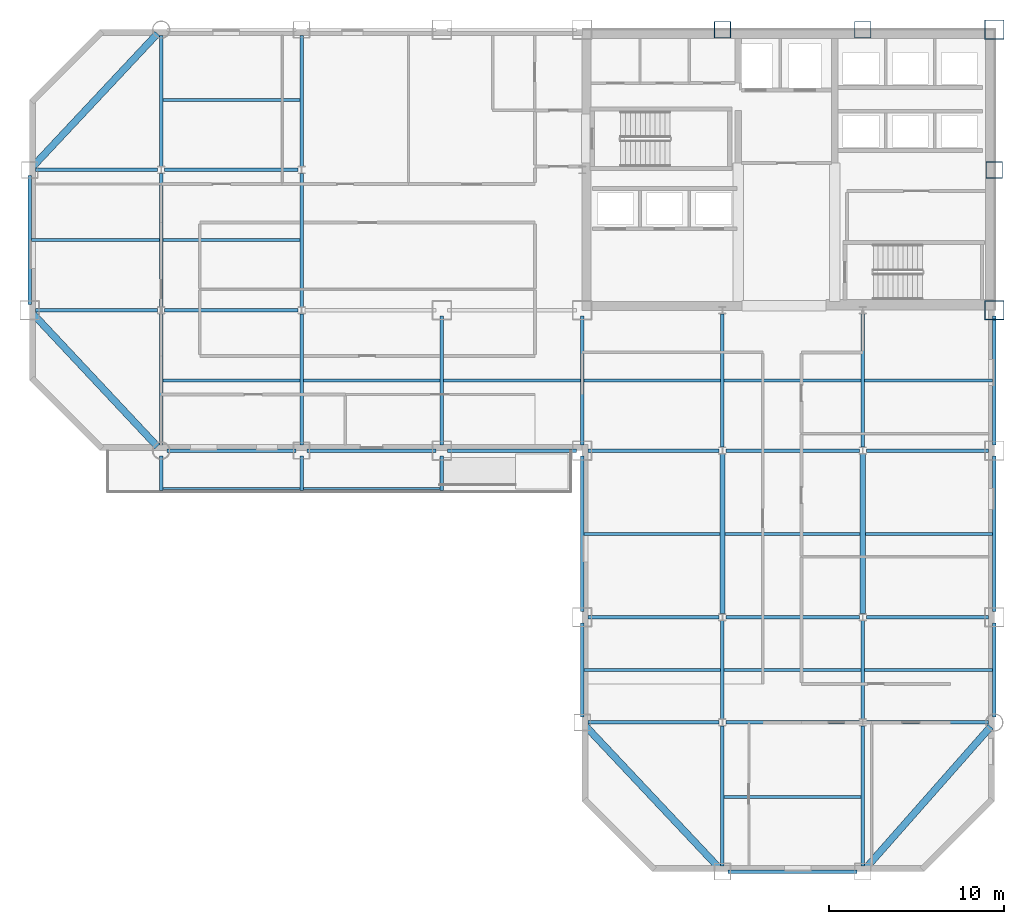
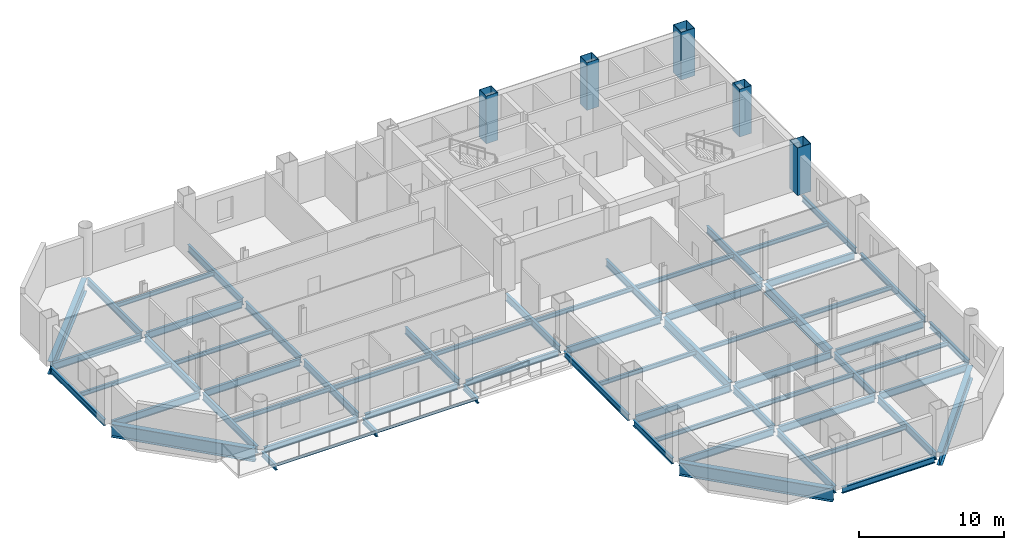
# One storey, part 4 of 10: 64 beams, 5 columns.
"""IFC4 building model written with IfcOpenShell, lengths in metres."""

from ifc_helpers import new_model, si_unit, direction, frame, origin, origin_2d, place, context, subcontext, project, spatial, hollow_rectangle, i_section, extrude, material, material_profile, profile_set, type_object, element, save


model = new_model("IFC4")

# Units and contexts
model_context = context("Model", 3, precision=1e-05, world=origin(), true_north=direction((0.0, 1.0)))
body_context = subcontext(model_context, "Body", "Model", "MODEL_VIEW")
ifc_project = project(units=[si_unit("LENGTHUNIT", "METRE"), si_unit("AREAUNIT", "SQUARE_METRE"), si_unit("VOLUMEUNIT", "CUBIC_METRE"), si_unit("PLANEANGLEUNIT", "RADIAN"), si_unit("MASSUNIT", "GRAM", prefix="KILO")], contexts=[model_context])

# Site, building, storey
site_placement = place(None, origin())
site = spatial("IfcSite", under=ifc_project, at=site_placement, CompositionType="ELEMENT")
building_placement = place(site_placement, origin())
building = spatial("IfcBuilding", under=site, at=building_placement, Name="Qianrong Seaharbour Tower", CompositionType="ELEMENT")
storey_placement = place(building_placement, frame((0.0, 0.0, 187.0)))
storey = spatial("IfcBuildingStorey", under=building, at=storey_placement, Name="L45", CompositionType="ELEMENT", Elevation=187.0)

# Columns
ifc_material_1 = material(Name="Structural steel SN490B", Category="steel")
ifc_material_profile_1 = material_profile(ifc_material_1, hollow_rectangle(XDim=1.10009765625, YDim=1.10009765625, WallThickness=0.0400390625, at=origin_2d()), Name="BOX1100x1100x40")
ifc_profile_set_1 = profile_set([ifc_material_profile_1], Name="Structural steel SN490B")
column_type_1 = type_object("IfcColumnType", Name="COL-CFT-1100", PredefinedType="COLUMN", material=ifc_profile_set_1)
for number, where, z_axis, x_axis, name in (
    (1, (64.0, 36.0, 0.0), (0.0, 0.0, 1.0), (1.0, 0.0, 0.0), "L45 Column MC-3 at G9/GF"),
    (2, (64.0, 52.0, 0.0), (0.0, 0.0, 1.0), (1.0, 0.0, 0.0), "L45 Column MC-3 at G9/GH"),
):
    element("IfcColumn", number, at=place(storey_placement, frame(where, z_axis=z_axis, x_axis=x_axis)), inside=storey, type_object=column_type_1, Name=name, PredefinedType="COLUMN", context=body_context, shape_type="SweptSolid", body=[
        extrude(hollow_rectangle(XDim=1.10009765625, YDim=1.10009765625, WallThickness=0.0400390625, at=origin_2d()), origin(), (0.0, 0.0, 1.0), 4.0),
    ])
ifc_material_profile_2 = material_profile(ifc_material_1, hollow_rectangle(XDim=0.949951171875, YDim=0.949951171875, WallThickness=0.035888671875, at=origin_2d()), Name="BOX950x950x36")
ifc_profile_set_2 = profile_set([ifc_material_profile_2], Name="Structural steel SN490B")
column_type_2 = type_object("IfcColumnType", Name="COL-PER-950", PredefinedType="COLUMN", material=ifc_profile_set_2)
for number, where, z_axis, x_axis, name in (
    (3, (48.5, 52.0, 0.0), (0.0, 0.0, 1.0), (1.0, 0.0, 0.0), "L45 Column PC-2 at G7/GH"),
    (4, (56.5, 52.0, 0.0), (0.0, 0.0, 1.0), (1.0, 0.0, 0.0), "L45 Column PC-2 at G8/GH"),
    (5, (64.0, 44.0, 0.0), (0.0, 0.0, 1.0), (1.0, 0.0, 0.0), "L45 Column PC-2 at G9/GG"),
):
    element("IfcColumn", number, at=place(storey_placement, frame(where, z_axis=z_axis, x_axis=x_axis)), inside=storey, type_object=column_type_2, Name=name, PredefinedType="COLUMN", context=body_context, shape_type="SweptSolid", body=[
        extrude(hollow_rectangle(XDim=0.949951171875, YDim=0.949951171875, WallThickness=0.035888671875, at=origin_2d()), origin(), (0.0, 0.0, 1.0), 4.0),
    ])

# Beams
ifc_material_profile_3 = material_profile(ifc_material_1, i_section(OverallWidth=0.199951171875, OverallDepth=0.60009765625, WebThickness=0.010986328125, FlangeThickness=0.01708984375, FilletRadius=0.02197265625, at=origin_2d()), Name="H600x200x11x17")
ifc_profile_set_3 = profile_set([ifc_material_profile_3], Name="Structural steel SN490B")
beam_type_1 = type_object("IfcBeamType", Name="BM-G-600", PredefinedType="BEAM", material=ifc_profile_set_3)
beam_1_placement = place(storey_placement, frame((40.820068359375, 12.5, -0.534912109375), z_axis=(1.0, 0.0, 0.0), x_axis=(0.0, 1.0, 0.0)))
element("IfcBeam", 6, at=beam_1_placement, inside=storey, type_object=beam_type_1, Name="L45 Primary Girder GC G6-G7", PredefinedType="BEAM", context=body_context, shape_type="SweptSolid", body=[
    extrude(i_section(OverallWidth=0.199951171875, OverallDepth=0.60009765625, WebThickness=0.010986328125, FlangeThickness=0.01708984375, FilletRadius=0.02197265625, at=origin_2d()), origin(), (0.0, 0.0, 1.0), 7.47998046875),
])
beam_2_placement = place(storey_placement, frame((48.699951171875, 12.5, -0.534912109375), z_axis=(1.0, 0.0, 0.0), x_axis=(0.0, 1.0, 0.0)))
element("IfcBeam", 7, at=beam_2_placement, inside=storey, type_object=beam_type_1, Name="L45 Primary Girder GC G7-G8", PredefinedType="BEAM", context=body_context, shape_type="SweptSolid", body=[
    extrude(i_section(OverallWidth=0.199951171875, OverallDepth=0.60009765625, WebThickness=0.010986328125, FlangeThickness=0.01708984375, FilletRadius=0.02197265625, at=origin_2d()), origin(), (0.0, 0.0, 1.0), 7.60009765625),
])
beam_3_placement = place(storey_placement, frame((56.699951171875, 12.5, -0.534912109375), z_axis=(1.0, 0.0, 0.0), x_axis=(0.0, 1.0, 0.0)))
element("IfcBeam", 8, at=beam_3_placement, inside=storey, type_object=beam_type_1, Name="L45 Primary Girder GC G8-G9", PredefinedType="BEAM", context=body_context, shape_type="SweptSolid", body=[
    extrude(i_section(OverallWidth=0.199951171875, OverallDepth=0.60009765625, WebThickness=0.010986328125, FlangeThickness=0.01708984375, FilletRadius=0.02197265625, at=origin_2d()), origin(), (0.0, 0.0, 1.0), 6.97998046875),
])
beam_4_placement = place(storey_placement, frame((40.820068359375, 18.5, -0.534912109375), z_axis=(1.0, 0.0, 0.0), x_axis=(0.0, 1.0, 0.0)))
element("IfcBeam", 9, at=beam_4_placement, inside=storey, type_object=beam_type_1, Name="L45 Primary Girder GD G6-G7", PredefinedType="BEAM", context=body_context, shape_type="SweptSolid", body=[
    extrude(i_section(OverallWidth=0.199951171875, OverallDepth=0.60009765625, WebThickness=0.010986328125, FlangeThickness=0.01708984375, FilletRadius=0.02197265625, at=origin_2d()), origin(), (0.0, 0.0, 1.0), 7.47998046875),
])
beam_5_placement = place(storey_placement, frame((48.699951171875, 18.5, -0.534912109375), z_axis=(1.0, 0.0, 0.0), x_axis=(0.0, 1.0, 0.0)))
element("IfcBeam", 10, at=beam_5_placement, inside=storey, type_object=beam_type_1, Name="L45 Primary Girder GD G7-G8", PredefinedType="BEAM", context=body_context, shape_type="SweptSolid", body=[
    extrude(i_section(OverallWidth=0.199951171875, OverallDepth=0.60009765625, WebThickness=0.010986328125, FlangeThickness=0.01708984375, FilletRadius=0.02197265625, at=origin_2d()), origin(), (0.0, 0.0, 1.0), 7.60009765625),
])
beam_6_placement = place(storey_placement, frame((56.699951171875, 18.5, -0.534912109375), z_axis=(1.0, 0.0, 0.0), x_axis=(0.0, 1.0, 0.0)))
element("IfcBeam", 11, at=beam_6_placement, inside=storey, type_object=beam_type_1, Name="L45 Primary Girder GD G8-G9", PredefinedType="BEAM", context=body_context, shape_type="SweptSolid", body=[
    extrude(i_section(OverallWidth=0.199951171875, OverallDepth=0.60009765625, WebThickness=0.010986328125, FlangeThickness=0.01708984375, FilletRadius=0.02197265625, at=origin_2d()), origin(), (0.0, 0.0, 1.0), 6.97998046875),
])
beam_7_placement = place(storey_placement, frame((40.820068359375, 28.0, -0.534912109375), z_axis=(1.0, 0.0, 0.0), x_axis=(0.0, 1.0, 0.0)))
element("IfcBeam", 12, at=beam_7_placement, inside=storey, type_object=beam_type_1, Name="L45 Primary Girder GE G6-G7", PredefinedType="BEAM", context=body_context, shape_type="SweptSolid", body=[
    extrude(i_section(OverallWidth=0.199951171875, OverallDepth=0.60009765625, WebThickness=0.010986328125, FlangeThickness=0.01708984375, FilletRadius=0.02197265625, at=origin_2d()), origin(), (0.0, 0.0, 1.0), 7.47998046875),
])
beam_8_placement = place(storey_placement, frame((48.699951171875, 28.0, -0.534912109375), z_axis=(1.0, 0.0, 0.0), x_axis=(0.0, 1.0, 0.0)))
element("IfcBeam", 13, at=beam_8_placement, inside=storey, type_object=beam_type_1, Name="L45 Primary Girder GE G7-G8", PredefinedType="BEAM", context=body_context, shape_type="SweptSolid", body=[
    extrude(i_section(OverallWidth=0.199951171875, OverallDepth=0.60009765625, WebThickness=0.010986328125, FlangeThickness=0.01708984375, FilletRadius=0.02197265625, at=origin_2d()), origin(), (0.0, 0.0, 1.0), 7.60009765625),
])
for number, where, z_axis, x_axis, name in (
    (14, (56.699951171875, 28.0, -0.534912109375), (1.0, 0.0, 0.0), (0.0, 1.0, 0.0), "L45 Primary Girder GE G8-G9"),
    (15, (9.320068359375, 36.0, -0.534912109375), (1.0, 0.0, 0.0), (0.0, 1.0, 0.0), "L45 Primary Girder GF G2-G3"),
):
    element("IfcBeam", number, at=place(storey_placement, frame(where, z_axis=z_axis, x_axis=x_axis)), inside=storey, type_object=beam_type_1, Name=name, PredefinedType="BEAM", context=body_context, shape_type="SweptSolid", body=[
        extrude(i_section(OverallWidth=0.199951171875, OverallDepth=0.60009765625, WebThickness=0.010986328125, FlangeThickness=0.01708984375, FilletRadius=0.02197265625, at=origin_2d()), origin(), (0.0, 0.0, 1.0), 6.97998046875),
    ])
beam_9_placement = place(storey_placement, frame((16.699951171875, 36.0, -0.534912109375), z_axis=(1.0, 0.0, 0.0), x_axis=(0.0, 1.0, 0.0)))
element("IfcBeam", 16, at=beam_9_placement, inside=storey, type_object=beam_type_1, Name="L45 Primary Girder GF G3-G4", PredefinedType="BEAM", context=body_context, shape_type="SweptSolid", body=[
    extrude(i_section(OverallWidth=0.199951171875, OverallDepth=0.60009765625, WebThickness=0.010986328125, FlangeThickness=0.01708984375, FilletRadius=0.02197265625, at=origin_2d()), origin(), (0.0, 0.0, 1.0), 7.60009765625),
])
beam_10_placement = place(storey_placement, frame((9.320068359375, 44.0, -0.534912109375), z_axis=(1.0, 0.0, 0.0), x_axis=(0.0, 1.0, 0.0)))
element("IfcBeam", 17, at=beam_10_placement, inside=storey, type_object=beam_type_1, Name="L45 Primary Girder GG G2-G3", PredefinedType="BEAM", context=body_context, shape_type="SweptSolid", body=[
    extrude(i_section(OverallWidth=0.199951171875, OverallDepth=0.60009765625, WebThickness=0.010986328125, FlangeThickness=0.01708984375, FilletRadius=0.02197265625, at=origin_2d()), origin(), (0.0, 0.0, 1.0), 6.97998046875),
])
beam_11_placement = place(storey_placement, frame((16.699951171875, 44.0, -0.534912109375), z_axis=(1.0, 0.0, 0.0), x_axis=(0.0, 1.0, 0.0)))
element("IfcBeam", 18, at=beam_11_placement, inside=storey, type_object=beam_type_1, Name="L45 Primary Girder GG G3-G4", PredefinedType="BEAM", context=body_context, shape_type="SweptSolid", body=[
    extrude(i_section(OverallWidth=0.199951171875, OverallDepth=0.60009765625, WebThickness=0.010986328125, FlangeThickness=0.01708984375, FilletRadius=0.02197265625, at=origin_2d()), origin(), (0.0, 0.0, 1.0), 7.60009765625),
])
beam_12_placement = place(storey_placement, frame((16.5, 28.320068359375, -0.534912109375), z_axis=(0.0, 1.0, 0.0), x_axis=(-1.0, 0.0, 0.0)))
element("IfcBeam", 19, at=beam_12_placement, inside=storey, type_object=beam_type_1, Name="L45 Primary Girder G3 GE-GF", PredefinedType="BEAM", context=body_context, shape_type="SweptSolid", body=[
    extrude(i_section(OverallWidth=0.199951171875, OverallDepth=0.60009765625, WebThickness=0.010986328125, FlangeThickness=0.01708984375, FilletRadius=0.02197265625, at=origin_2d()), origin(), (0.0, 0.0, 1.0), 7.47998046875),
])
beam_13_placement = place(storey_placement, frame((16.5, 36.199951171875, -0.534912109375), z_axis=(0.0, 1.0, 0.0), x_axis=(-1.0, 0.0, 0.0)))
element("IfcBeam", 20, at=beam_13_placement, inside=storey, type_object=beam_type_1, Name="L45 Primary Girder G3 GF-GG", PredefinedType="BEAM", context=body_context, shape_type="SweptSolid", body=[
    extrude(i_section(OverallWidth=0.199951171875, OverallDepth=0.60009765625, WebThickness=0.010986328125, FlangeThickness=0.01708984375, FilletRadius=0.02197265625, at=origin_2d()), origin(), (0.0, 0.0, 1.0), 7.60009765625),
])
for number, where, z_axis, x_axis, name in (
    (21, (16.5, 44.199951171875, -0.534912109375), (0.0, 1.0, 0.0), (-1.0, 0.0, 0.0), "L45 Primary Girder G3 GG-GH"),
    (22, (24.5, 28.320068359375, -0.534912109375), (0.0, 1.0, 0.0), (-1.0, 0.0, 0.0), "L45 Primary Girder G4 GE-GF"),
):
    element("IfcBeam", number, at=place(storey_placement, frame(where, z_axis=z_axis, x_axis=x_axis)), inside=storey, type_object=beam_type_1, Name=name, PredefinedType="BEAM", context=body_context, shape_type="SweptSolid", body=[
        extrude(i_section(OverallWidth=0.199951171875, OverallDepth=0.60009765625, WebThickness=0.010986328125, FlangeThickness=0.01708984375, FilletRadius=0.02197265625, at=origin_2d()), origin(), (0.0, 0.0, 1.0), 7.47998046875),
    ])
beam_14_placement = place(storey_placement, frame((24.5, 36.199951171875, -0.534912109375), z_axis=(0.0, 1.0, 0.0), x_axis=(-1.0, 0.0, 0.0)))
element("IfcBeam", 23, at=beam_14_placement, inside=storey, type_object=beam_type_1, Name="L45 Primary Girder G4 GF-GG", PredefinedType="BEAM", context=body_context, shape_type="SweptSolid", body=[
    extrude(i_section(OverallWidth=0.199951171875, OverallDepth=0.60009765625, WebThickness=0.010986328125, FlangeThickness=0.01708984375, FilletRadius=0.02197265625, at=origin_2d()), origin(), (0.0, 0.0, 1.0), 7.60009765625),
])
beam_15_placement = place(storey_placement, frame((24.5, 44.199951171875, -0.534912109375), z_axis=(0.0, 1.0, 0.0), x_axis=(-1.0, 0.0, 0.0)))
element("IfcBeam", 24, at=beam_15_placement, inside=storey, type_object=beam_type_1, Name="L45 Primary Girder G4 GG-GH", PredefinedType="BEAM", context=body_context, shape_type="SweptSolid", body=[
    extrude(i_section(OverallWidth=0.199951171875, OverallDepth=0.60009765625, WebThickness=0.010986328125, FlangeThickness=0.01708984375, FilletRadius=0.02197265625, at=origin_2d()), origin(), (0.0, 0.0, 1.0), 7.47998046875),
])
for number, where, z_axis, x_axis, name in (
    (25, (32.5, 28.320068359375, -0.534912109375), (0.0, 1.0, 0.0), (-1.0, 0.0, 0.0), "L45 Primary Girder G5 GE-GF"),
    (26, (40.5, 28.320068359375, -0.534912109375), (0.0, 1.0, 0.0), (-1.0, 0.0, 0.0), "L45 Primary Girder G6 GE-GF"),
):
    element("IfcBeam", number, at=place(storey_placement, frame(where, z_axis=z_axis, x_axis=x_axis)), inside=storey, type_object=beam_type_1, Name=name, PredefinedType="BEAM", context=body_context, shape_type="SweptSolid", body=[
        extrude(i_section(OverallWidth=0.199951171875, OverallDepth=0.60009765625, WebThickness=0.010986328125, FlangeThickness=0.01708984375, FilletRadius=0.02197265625, at=origin_2d()), origin(), (0.0, 0.0, 1.0), 7.35986328125),
    ])
beam_16_placement = place(storey_placement, frame((48.5, 4.320068359375, -0.534912109375), z_axis=(0.0, 1.0, 0.0), x_axis=(-1.0, 0.0, 0.0)))
element("IfcBeam", 27, at=beam_16_placement, inside=storey, type_object=beam_type_1, Name="L45 Primary Girder G7 GB-GC", PredefinedType="BEAM", context=body_context, shape_type="SweptSolid", body=[
    extrude(i_section(OverallWidth=0.199951171875, OverallDepth=0.60009765625, WebThickness=0.010986328125, FlangeThickness=0.01708984375, FilletRadius=0.02197265625, at=origin_2d()), origin(), (0.0, 0.0, 1.0), 7.97998046875),
])
beam_17_placement = place(storey_placement, frame((48.5, 12.699951171875, -0.534912109375), z_axis=(0.0, 1.0, 0.0), x_axis=(-1.0, 0.0, 0.0)))
element("IfcBeam", 28, at=beam_17_placement, inside=storey, type_object=beam_type_1, Name="L45 Primary Girder G7 GC-GD", PredefinedType="BEAM", context=body_context, shape_type="SweptSolid", body=[
    extrude(i_section(OverallWidth=0.199951171875, OverallDepth=0.60009765625, WebThickness=0.010986328125, FlangeThickness=0.01708984375, FilletRadius=0.02197265625, at=origin_2d()), origin(), (0.0, 0.0, 1.0), 5.60009765625),
])
beam_18_placement = place(storey_placement, frame((48.5, 28.199951171875, -0.534912109375), z_axis=(0.0, 1.0, 0.0), x_axis=(-1.0, 0.0, 0.0)))
element("IfcBeam", 29, at=beam_18_placement, inside=storey, type_object=beam_type_1, Name="L45 Primary Girder G7 GE-GF", PredefinedType="BEAM", context=body_context, shape_type="SweptSolid", body=[
    extrude(i_section(OverallWidth=0.199951171875, OverallDepth=0.60009765625, WebThickness=0.010986328125, FlangeThickness=0.01708984375, FilletRadius=0.02197265625, at=origin_2d()), origin(), (0.0, 0.0, 1.0), 7.60009765625),
])
beam_19_placement = place(storey_placement, frame((56.5, 4.320068359375, -0.534912109375), z_axis=(0.0, 1.0, 0.0), x_axis=(-1.0, 0.0, 0.0)))
element("IfcBeam", 30, at=beam_19_placement, inside=storey, type_object=beam_type_1, Name="L45 Primary Girder G8 GB-GC", PredefinedType="BEAM", context=body_context, shape_type="SweptSolid", body=[
    extrude(i_section(OverallWidth=0.199951171875, OverallDepth=0.60009765625, WebThickness=0.010986328125, FlangeThickness=0.01708984375, FilletRadius=0.02197265625, at=origin_2d()), origin(), (0.0, 0.0, 1.0), 7.97998046875),
])
beam_20_placement = place(storey_placement, frame((56.5, 12.699951171875, -0.534912109375), z_axis=(0.0, 1.0, 0.0), x_axis=(-1.0, 0.0, 0.0)))
element("IfcBeam", 31, at=beam_20_placement, inside=storey, type_object=beam_type_1, Name="L45 Primary Girder G8 GC-GD", PredefinedType="BEAM", context=body_context, shape_type="SweptSolid", body=[
    extrude(i_section(OverallWidth=0.199951171875, OverallDepth=0.60009765625, WebThickness=0.010986328125, FlangeThickness=0.01708984375, FilletRadius=0.02197265625, at=origin_2d()), origin(), (0.0, 0.0, 1.0), 5.60009765625),
])
beam_21_placement = place(storey_placement, frame((56.5, 28.199951171875, -0.534912109375), z_axis=(0.0, 1.0, 0.0), x_axis=(-1.0, 0.0, 0.0)))
element("IfcBeam", 32, at=beam_21_placement, inside=storey, type_object=beam_type_1, Name="L45 Primary Girder G8 GE-GF", PredefinedType="BEAM", context=body_context, shape_type="SweptSolid", body=[
    extrude(i_section(OverallWidth=0.199951171875, OverallDepth=0.60009765625, WebThickness=0.010986328125, FlangeThickness=0.01708984375, FilletRadius=0.02197265625, at=origin_2d()), origin(), (0.0, 0.0, 1.0), 7.60009765625),
])
ifc_material_profile_4 = material_profile(ifc_material_1, i_section(OverallWidth=0.300048828125, OverallDepth=0.800048828125, WebThickness=0.013916015625, FlangeThickness=0.02587890625, FilletRadius=0.028076171875, at=origin_2d()), Name="H800x300x14x26")
ifc_profile_set_4 = profile_set([ifc_material_profile_4], Name="Structural steel SN490B")
beam_type_2 = type_object("IfcBeamType", Name="BM-G-800", PredefinedType="BEAM", material=ifc_profile_set_4)
for number, where, z_axis, x_axis, name in (
    (33, (48.5, 18.699951171875, -0.635009765625), (0.0, 1.0, 0.0), (-1.0, 0.0, 0.0), "L45 Primary Girder G7 GD-GE"),
    (34, (56.5, 18.699951171875, -0.635009765625), (0.0, 1.0, 0.0), (-1.0, 0.0, 0.0), "L45 Primary Girder G8 GD-GE"),
):
    element("IfcBeam", number, at=place(storey_placement, frame(where, z_axis=z_axis, x_axis=x_axis)), inside=storey, type_object=beam_type_2, Name=name, PredefinedType="BEAM", context=body_context, shape_type="SweptSolid", body=[
        extrude(i_section(OverallWidth=0.300048828125, OverallDepth=0.800048828125, WebThickness=0.013916015625, FlangeThickness=0.02587890625, FilletRadius=0.028076171875, at=origin_2d()), origin(), (0.0, 0.0, 1.0), 9.10009765625),
    ])
ifc_material_2 = material(Name="Structural steel SN400B", Category="steel")
ifc_material_profile_5 = material_profile(ifc_material_2, i_section(OverallWidth=0.175048828125, OverallDepth=0.35009765625, WebThickness=0.007080078125, FlangeThickness=0.010986328125, FilletRadius=0.013916015625, at=origin_2d()), Name="H350x175x7x11")
ifc_profile_set_5 = profile_set([ifc_material_profile_5], Name="Structural steel SN400B")
beam_type_3 = type_object("IfcBeamType", Name="BM-J-350", PredefinedType="JOIST", material=ifc_profile_set_5)
beam_22_placement = place(storey_placement, frame((9.10009765625, 40.0, -0.409912109375), z_axis=(1.0, 0.0, 0.0), x_axis=(0.0, 1.0, 0.0)))
element("IfcBeam", 35, at=beam_22_placement, inside=storey, type_object=beam_type_3, Name="L45 Composite Floor Joist G2-G3/GF-GG", PredefinedType="JOIST", context=body_context, shape_type="SweptSolid", body=[
    extrude(i_section(OverallWidth=0.175048828125, OverallDepth=0.35009765625, WebThickness=0.007080078125, FlangeThickness=0.010986328125, FilletRadius=0.013916015625, at=origin_2d()), origin(), (0.0, 0.0, 1.0), 7.2998046875),
])
for number, where, z_axis, x_axis, name in (
    (36, (16.60009765625, 32.0, -0.409912109375), (1.0, 0.0, 0.0), (0.0, 1.0, 0.0), "L45 Composite Floor Joist G3-G4/GE-GF"),
    (37, (16.60009765625, 40.0, -0.409912109375), (1.0, 0.0, 0.0), (0.0, 1.0, 0.0), "L45 Composite Floor Joist G3-G4/GF-GG"),
    (38, (16.60009765625, 48.0, -0.409912109375), (1.0, 0.0, 0.0), (0.0, 1.0, 0.0), "L45 Composite Floor Joist G3-G4/GG-GH"),
    (39, (24.60009765625, 32.0, -0.409912109375), (1.0, 0.0, 0.0), (0.0, 1.0, 0.0), "L45 Composite Floor Joist G4-G5/GE-GF"),
    (40, (32.60009765625, 32.0, -0.409912109375), (1.0, 0.0, 0.0), (0.0, 1.0, 0.0), "L45 Composite Floor Joist G5-G6/GE-GF"),
    (41, (40.60009765625, 15.5, -0.409912109375), (1.0, 0.0, 0.0), (0.0, 1.0, 0.0), "L45 Composite Floor Joist G6-G7/GC-GD"),
):
    element("IfcBeam", number, at=place(storey_placement, frame(where, z_axis=z_axis, x_axis=x_axis)), inside=storey, type_object=beam_type_3, Name=name, PredefinedType="JOIST", context=body_context, shape_type="SweptSolid", body=[
        extrude(i_section(OverallWidth=0.175048828125, OverallDepth=0.35009765625, WebThickness=0.007080078125, FlangeThickness=0.010986328125, FilletRadius=0.013916015625, at=origin_2d()), origin(), (0.0, 0.0, 1.0), 7.7998046875),
    ])
beam_23_placement = place(storey_placement, frame((40.60009765625, 23.25, -0.409912109375), z_axis=(1.0, 0.0, 0.0), x_axis=(0.0, 1.0, 0.0)))
element("IfcBeam", 42, at=beam_23_placement, inside=storey, type_object=beam_type_3, Name="L45 Composite Floor Joist G6-G7/GD-GE", PredefinedType="JOIST", context=body_context, shape_type="SweptSolid", body=[
    extrude(i_section(OverallWidth=0.175048828125, OverallDepth=0.35009765625, WebThickness=0.007080078125, FlangeThickness=0.010986328125, FilletRadius=0.013916015625, at=origin_2d()), origin(), (0.0, 0.0, 1.0), 7.75),
])
for number, where, z_axis, x_axis, name in (
    (43, (40.60009765625, 32.0, -0.409912109375), (1.0, 0.0, 0.0), (0.0, 1.0, 0.0), "L45 Composite Floor Joist G6-G7/GE-GF"),
    (44, (48.60009765625, 8.25, -0.409912109375), (1.0, 0.0, 0.0), (0.0, 1.0, 0.0), "L45 Composite Floor Joist G7-G8/GB-GC"),
    (45, (48.60009765625, 15.5, -0.409912109375), (1.0, 0.0, 0.0), (0.0, 1.0, 0.0), "L45 Composite Floor Joist G7-G8/GC-GD"),
):
    element("IfcBeam", number, at=place(storey_placement, frame(where, z_axis=z_axis, x_axis=x_axis)), inside=storey, type_object=beam_type_3, Name=name, PredefinedType="JOIST", context=body_context, shape_type="SweptSolid", body=[
        extrude(i_section(OverallWidth=0.175048828125, OverallDepth=0.35009765625, WebThickness=0.007080078125, FlangeThickness=0.010986328125, FilletRadius=0.013916015625, at=origin_2d()), origin(), (0.0, 0.0, 1.0), 7.7998046875),
    ])
beam_24_placement = place(storey_placement, frame((48.64990234375, 23.25, -0.409912109375), z_axis=(1.0, 0.0, 0.0), x_axis=(0.0, 1.0, 0.0)))
element("IfcBeam", 46, at=beam_24_placement, inside=storey, type_object=beam_type_3, Name="L45 Composite Floor Joist G7-G8/GD-GE", PredefinedType="JOIST", context=body_context, shape_type="SweptSolid", body=[
    extrude(i_section(OverallWidth=0.175048828125, OverallDepth=0.35009765625, WebThickness=0.007080078125, FlangeThickness=0.010986328125, FilletRadius=0.013916015625, at=origin_2d()), origin(), (0.0, 0.0, 1.0), 7.7001953125),
])
beam_25_placement = place(storey_placement, frame((48.60009765625, 32.0, -0.409912109375), z_axis=(1.0, 0.0, 0.0), x_axis=(0.0, 1.0, 0.0)))
element("IfcBeam", 47, at=beam_25_placement, inside=storey, type_object=beam_type_3, Name="L45 Composite Floor Joist G7-G8/GE-GF", PredefinedType="JOIST", context=body_context, shape_type="SweptSolid", body=[
    extrude(i_section(OverallWidth=0.175048828125, OverallDepth=0.35009765625, WebThickness=0.007080078125, FlangeThickness=0.010986328125, FilletRadius=0.013916015625, at=origin_2d()), origin(), (0.0, 0.0, 1.0), 7.7998046875),
])
beam_26_placement = place(storey_placement, frame((56.60009765625, 15.5, -0.409912109375), z_axis=(1.0, 0.0, 0.0), x_axis=(0.0, 1.0, 0.0)))
element("IfcBeam", 48, at=beam_26_placement, inside=storey, type_object=beam_type_3, Name="L45 Composite Floor Joist G8-G9/GC-GD", PredefinedType="JOIST", context=body_context, shape_type="SweptSolid", body=[
    extrude(i_section(OverallWidth=0.175048828125, OverallDepth=0.35009765625, WebThickness=0.007080078125, FlangeThickness=0.010986328125, FilletRadius=0.013916015625, at=origin_2d()), origin(), (0.0, 0.0, 1.0), 7.2998046875),
])
beam_27_placement = place(storey_placement, frame((56.64990234375, 23.25, -0.409912109375), z_axis=(1.0, 0.0, 0.0), x_axis=(0.0, 1.0, 0.0)))
element("IfcBeam", 49, at=beam_27_placement, inside=storey, type_object=beam_type_3, Name="L45 Composite Floor Joist G8-G9/GD-GE", PredefinedType="JOIST", context=body_context, shape_type="SweptSolid", body=[
    extrude(i_section(OverallWidth=0.175048828125, OverallDepth=0.35009765625, WebThickness=0.007080078125, FlangeThickness=0.010986328125, FilletRadius=0.013916015625, at=origin_2d()), origin(), (0.0, 0.0, 1.0), 7.25),
])
beam_28_placement = place(storey_placement, frame((56.60009765625, 32.0, -0.409912109375), z_axis=(1.0, 0.0, 0.0), x_axis=(0.0, 1.0, 0.0)))
element("IfcBeam", 50, at=beam_28_placement, inside=storey, type_object=beam_type_3, Name="L45 Composite Floor Joist G8-G9/GE-GF", PredefinedType="JOIST", context=body_context, shape_type="SweptSolid", body=[
    extrude(i_section(OverallWidth=0.175048828125, OverallDepth=0.35009765625, WebThickness=0.007080078125, FlangeThickness=0.010986328125, FilletRadius=0.013916015625, at=origin_2d()), origin(), (0.0, 0.0, 1.0), 7.2998046875),
])
ifc_material_profile_6 = material_profile(ifc_material_2, i_section(OverallWidth=0.10009765625, OverallDepth=0.199951171875, WebThickness=0.005615234375, FlangeThickness=0.008056640625, FilletRadius=0.010986328125, at=origin_2d()), Name="H200x100x5.5x8")
ifc_profile_set_6 = profile_set([ifc_material_profile_6], Name="Structural steel SN400B")
beam_type_4 = type_object("IfcBeamType", Name="BM-PURLIN-200", PredefinedType="JOIST", material=ifc_profile_set_6)
for number, where, z_axis, x_axis, name in (
    (51, (16.60009765625, 25.840087890625, -0.3349609375), (1.0, 0.0, 0.0), (0.0, 1.0, 0.0), "L45 Harbourfront Ribbon Edge Beam G4"),
    (52, (24.60009765625, 25.840087890625, -0.3349609375), (1.0, 0.0, 0.0), (0.0, 1.0, 0.0), "L45 Harbourfront Ribbon Edge Beam G5"),
):
    element("IfcBeam", number, at=place(storey_placement, frame(where, z_axis=z_axis, x_axis=x_axis)), inside=storey, type_object=beam_type_4, Name=name, PredefinedType="JOIST", context=body_context, shape_type="SweptSolid", body=[
        extrude(i_section(OverallWidth=0.10009765625, OverallDepth=0.199951171875, WebThickness=0.005615234375, FlangeThickness=0.008056640625, FilletRadius=0.010986328125, at=origin_2d()), origin(), (0.0, 0.0, 1.0), 7.7998046875),
    ])
ifc_material_profile_7 = material_profile(ifc_material_1, i_section(OverallWidth=0.199951171875, OverallDepth=0.449951171875, WebThickness=0.009033203125, FlangeThickness=0.013916015625, FilletRadius=0.01806640625, at=origin_2d()), Name="H450x200x9x14")
ifc_profile_set_7 = profile_set([ifc_material_profile_7], Name="Structural steel SN490B")
beam_type_5 = type_object("IfcBeamType", Name="BM-RIB-450", PredefinedType="BEAM", material=ifc_profile_set_7)
for number, where, z_axis, x_axis, name in (
    (53, (16.5, 27.699951171875, -0.4599609375), (0.0, -1.0, 0.0), (1.0, 0.0, 0.0), "L45 Harbourfront Ribbon Cantilever Bracket G3"),
    (54, (24.5, 27.699951171875, -0.4599609375), (0.0, -1.0, 0.0), (1.0, 0.0, 0.0), "L45 Harbourfront Ribbon Cantilever Bracket G4"),
    (55, (32.5, 27.699951171875, -0.4599609375), (0.0, -1.0, 0.0), (1.0, 0.0, 0.0), "L45 Harbourfront Ribbon Cantilever Bracket G5"),
):
    element("IfcBeam", number, at=place(storey_placement, frame(where, z_axis=z_axis, x_axis=x_axis)), inside=storey, type_object=beam_type_5, Name=name, PredefinedType="BEAM", context=body_context, shape_type="SweptSolid", body=[
        extrude(i_section(OverallWidth=0.199951171875, OverallDepth=0.449951171875, WebThickness=0.009033203125, FlangeThickness=0.013916015625, FilletRadius=0.01806640625, at=origin_2d()), origin(), (0.0, 0.0, 1.0), 1.97998046875),
    ])
ifc_material_profile_8 = material_profile(ifc_material_1, i_section(OverallWidth=0.199951171875, OverallDepth=0.5, WebThickness=0.010009765625, FlangeThickness=0.01611328125, FilletRadius=0.02001953125, at=origin_2d()), Name="H500x200x10x16")
ifc_profile_set_8 = profile_set([ifc_material_profile_8], Name="Structural steel SN490B")
beam_type_6 = type_object("IfcBeamType", Name="BM-SP-500", PredefinedType="SPANDREL", material=ifc_profile_set_8)
for number, where, z_axis, x_axis, name in (
    (56, (48.820068359375, 4.0, -0.485107421875), (1.0, 0.0, 0.0), (0.0, 1.0, 0.0), "L45 Spandrel Girder GB G7-G8"),
    (57, (16.820068359375, 28.0, -0.485107421875), (1.0, 0.0, 0.0), (0.0, 1.0, 0.0), "L45 Spandrel Girder GE G3-G4"),
    (58, (24.820068359375, 28.0, -0.485107421875), (1.0, 0.0, 0.0), (0.0, 1.0, 0.0), "L45 Spandrel Girder GE G4-G5"),
    (59, (32.820068359375, 28.0, -0.485107421875), (1.0, 0.0, 0.0), (0.0, 1.0, 0.0), "L45 Spandrel Girder GE G5-G6"),
    (60, (9.0, 36.320068359375, -0.485107421875), (0.0, 1.0, 0.0), (-1.0, 0.0, 0.0), "L45 Spandrel Girder G2 GF-GG"),
):
    element("IfcBeam", number, at=place(storey_placement, frame(where, z_axis=z_axis, x_axis=x_axis)), inside=storey, type_object=beam_type_6, Name=name, PredefinedType="SPANDREL", context=body_context, shape_type="SweptSolid", body=[
        extrude(i_section(OverallWidth=0.199951171875, OverallDepth=0.5, WebThickness=0.010009765625, FlangeThickness=0.01611328125, FilletRadius=0.02001953125, at=origin_2d()), origin(), (0.0, 0.0, 1.0), 7.35986328125),
    ])
beam_29_placement = place(storey_placement, frame((40.5, 12.820068359375, -0.485107421875), z_axis=(0.0, 1.0, 0.0), x_axis=(-1.0, 0.0, 0.0)))
element("IfcBeam", 61, at=beam_29_placement, inside=storey, type_object=beam_type_6, Name="L45 Spandrel Girder G6 GC-GD", PredefinedType="SPANDREL", context=body_context, shape_type="SweptSolid", body=[
    extrude(i_section(OverallWidth=0.199951171875, OverallDepth=0.5, WebThickness=0.010009765625, FlangeThickness=0.01611328125, FilletRadius=0.02001953125, at=origin_2d()), origin(), (0.0, 0.0, 1.0), 5.35986328125),
])
beam_30_placement = place(storey_placement, frame((40.5, 18.820068359375, -0.485107421875), z_axis=(0.0, 1.0, 0.0), x_axis=(-1.0, 0.0, 0.0)))
element("IfcBeam", 62, at=beam_30_placement, inside=storey, type_object=beam_type_6, Name="L45 Spandrel Girder G6 GD-GE", PredefinedType="SPANDREL", context=body_context, shape_type="SweptSolid", body=[
    extrude(i_section(OverallWidth=0.199951171875, OverallDepth=0.5, WebThickness=0.010009765625, FlangeThickness=0.01611328125, FilletRadius=0.02001953125, at=origin_2d()), origin(), (0.0, 0.0, 1.0), 8.85986328125),
])
beam_31_placement = place(storey_placement, frame((64.0, 12.820068359375, -0.485107421875), z_axis=(0.0, 1.0, 0.0), x_axis=(-1.0, 0.0, 0.0)))
element("IfcBeam", 63, at=beam_31_placement, inside=storey, type_object=beam_type_6, Name="L45 Spandrel Girder G9 GC-GD", PredefinedType="SPANDREL", context=body_context, shape_type="SweptSolid", body=[
    extrude(i_section(OverallWidth=0.199951171875, OverallDepth=0.5, WebThickness=0.010009765625, FlangeThickness=0.01611328125, FilletRadius=0.02001953125, at=origin_2d()), origin(), (0.0, 0.0, 1.0), 5.35986328125),
])
beam_32_placement = place(storey_placement, frame((64.0, 18.820068359375, -0.485107421875), z_axis=(0.0, 1.0, 0.0), x_axis=(-1.0, 0.0, 0.0)))
element("IfcBeam", 64, at=beam_32_placement, inside=storey, type_object=beam_type_6, Name="L45 Spandrel Girder G9 GD-GE", PredefinedType="SPANDREL", context=body_context, shape_type="SweptSolid", body=[
    extrude(i_section(OverallWidth=0.199951171875, OverallDepth=0.5, WebThickness=0.010009765625, FlangeThickness=0.01611328125, FilletRadius=0.02001953125, at=origin_2d()), origin(), (0.0, 0.0, 1.0), 8.85986328125),
])
beam_33_placement = place(storey_placement, frame((64.0, 28.320068359375, -0.485107421875), z_axis=(0.0, 1.0, 0.0), x_axis=(-1.0, 0.0, 0.0)))
element("IfcBeam", 65, at=beam_33_placement, inside=storey, type_object=beam_type_6, Name="L45 Spandrel Girder G9 GE-GF", PredefinedType="SPANDREL", context=body_context, shape_type="SweptSolid", body=[
    extrude(i_section(OverallWidth=0.199951171875, OverallDepth=0.5, WebThickness=0.010009765625, FlangeThickness=0.01611328125, FilletRadius=0.02001953125, at=origin_2d()), origin(), (0.0, 0.0, 1.0), 7.35986328125),
])
ifc_material_profile_9 = material_profile(ifc_material_1, i_section(OverallWidth=0.39990234375, OverallDepth=1.10009765625, WebThickness=0.02001953125, FlangeThickness=0.035888671875, at=origin_2d()), Name="BH1100x400x20x36")
ifc_profile_set_9 = profile_set([ifc_material_profile_9], Name="Structural steel SN490B")
beam_type_7 = type_object("IfcBeamType", Name="BM-TG-1100", PredefinedType="BEAM", material=ifc_profile_set_9)
for number, where, z_axis, x_axis, name in (
    (66, (16.28125, 28.2333984375, -0.784912109375), (-0.683947420573, 0.729531305628, 0.0), (-0.729531305628, -0.683947420573, 0.0), "L45 Chamfer Corner Spandrel Girder G2/GE"),
    (67, (16.28125, 51.7666015625, -0.784912109375), (-0.683947420573, -0.729531305628, 0.0), (0.729531305628, -0.683947420573, 0.0), "L45 Chamfer Corner Spandrel Girder G2/GH"),
):
    element("IfcBeam", number, at=place(storey_placement, frame(where, z_axis=z_axis, x_axis=x_axis)), inside=storey, type_object=beam_type_7, Name=name, PredefinedType="BEAM", context=body_context, shape_type="SweptSolid", body=[
        extrude(i_section(OverallWidth=0.39990234375, OverallDepth=1.10009765625, WebThickness=0.02001953125, FlangeThickness=0.035888671875, at=origin_2d()), origin(), (0.0, 0.0, 1.0), 10.326171875),
    ])
beam_34_placement = place(storey_placement, frame((48.28076171875, 4.23291015625, -0.784912109375), z_axis=(-0.685361938021, 0.728202591256, 0.0), x_axis=(-0.728202591256, -0.685361938021, 0.0)))
element("IfcBeam", 68, at=beam_34_placement, inside=storey, type_object=beam_type_7, Name="L45 Chamfer Corner Spandrel Girder G6/GB", PredefinedType="BEAM", context=body_context, shape_type="SweptSolid", body=[
    extrude(i_section(OverallWidth=0.39990234375, OverallDepth=1.10009765625, WebThickness=0.02001953125, FlangeThickness=0.035888671875, at=origin_2d()), origin(), (0.0, 0.0, 1.0), 11.032958984375),
])
beam_35_placement = place(storey_placement, frame((56.711669921875, 4.239990234375, -0.784912109375), z_axis=(0.661630696334, 0.749829861815, 0.0), x_axis=(-0.749829861815, 0.661630696334, 0.0)))
element("IfcBeam", 69, at=beam_35_placement, inside=storey, type_object=beam_type_7, Name="L45 Chamfer Corner Spandrel Girder G9/GB", PredefinedType="BEAM", context=body_context, shape_type="SweptSolid", body=[
    extrude(i_section(OverallWidth=0.39990234375, OverallDepth=1.10009765625, WebThickness=0.02001953125, FlangeThickness=0.035888671875, at=origin_2d()), origin(), (0.0, 0.0, 1.0), 10.69580078125),
])

save(model, "model.ifc")
